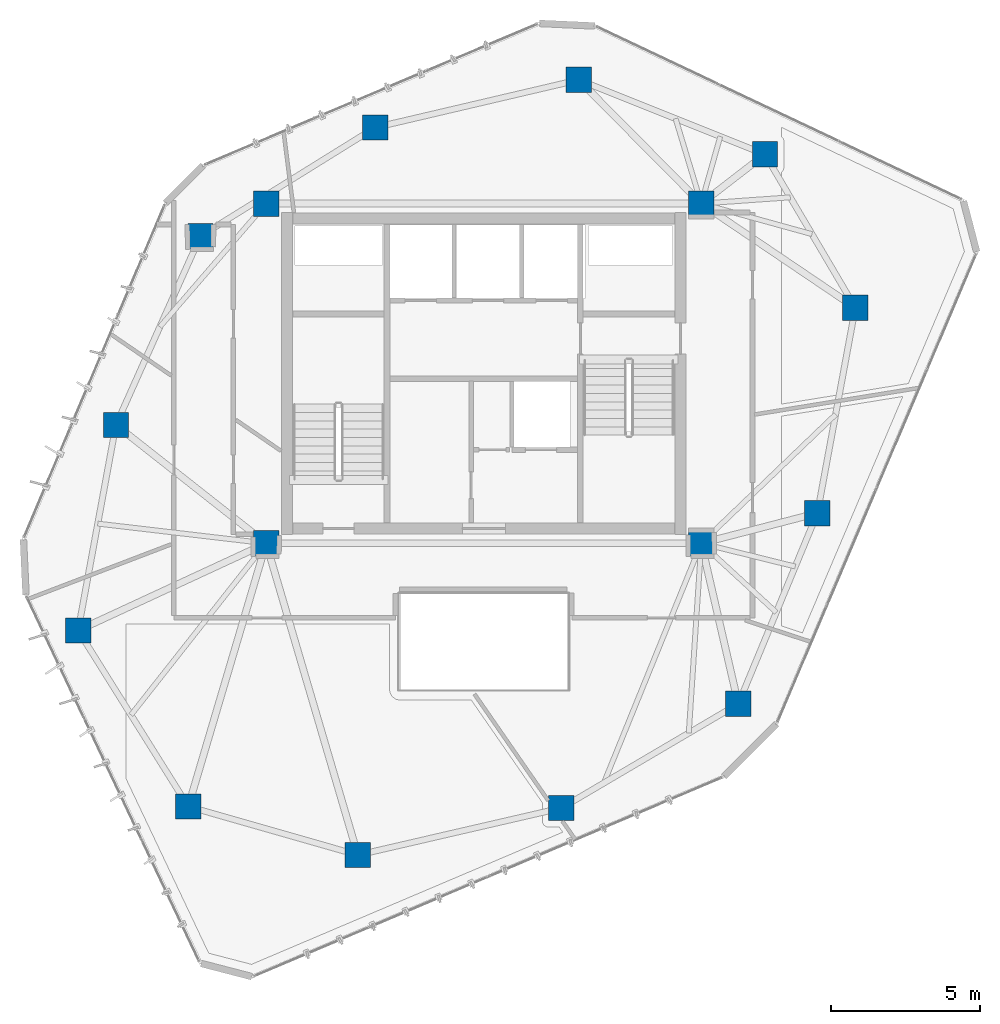
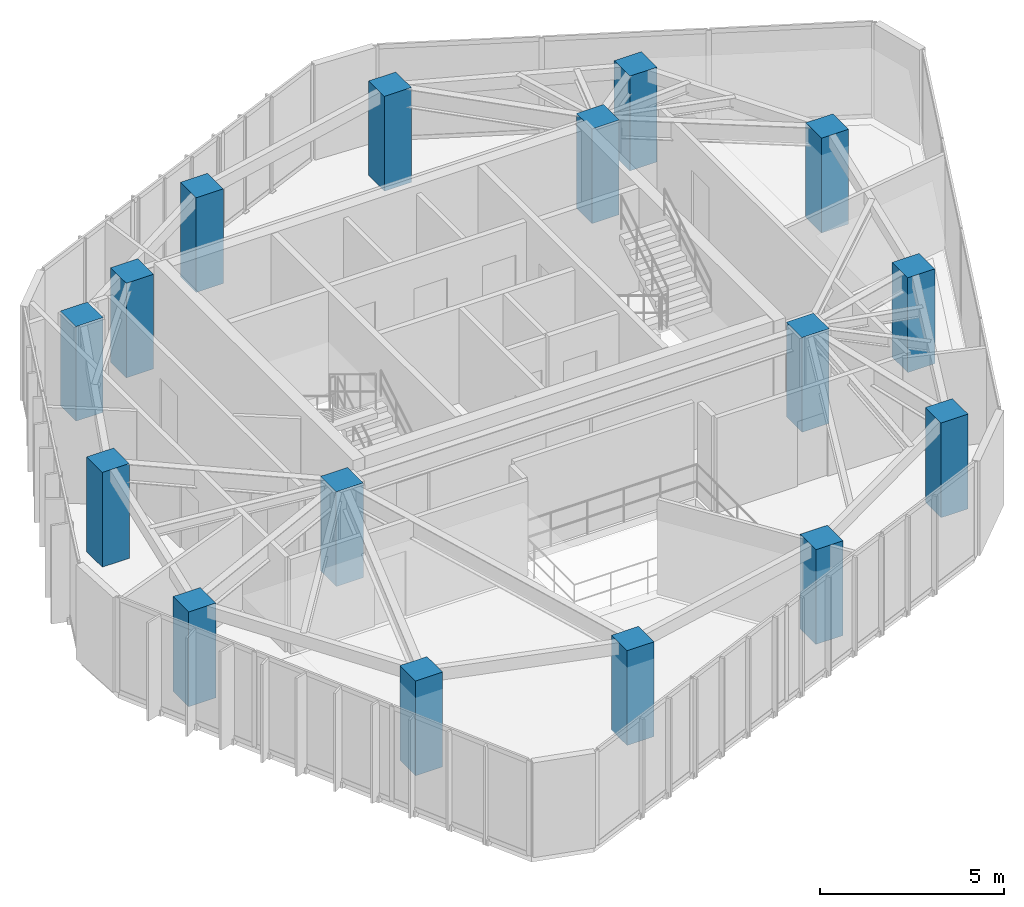
# One storey, part 1 of 20: 16 columns.
"""IFC4 building model written with IfcOpenShell, lengths in metres."""

import ifcopenshell
import ifcopenshell.guid

model = None  # the IFC model being written
_history = None  # IfcOwnerHistory: only IFC2X3 demands one
_inside = {}  # id of a spatial element -> (the spatial element, [elements in it])
_under = {}  # id of a project, library or spatial element -> (it, [spatial elements below it])
_declared = {}  # id of a project -> (the project, [libraries it declares])
_typed = {}  # id of a type object -> (the type object, [elements of that type])
_made_of = {}  # id of a material, layer set ... -> (it, [elements and type objects made of it])


def new_model(schema):
    """Start an empty IFC model of exactly this schema.

    Asked for "IFC4X3", IfcOpenShell would pick the latest addendum, in which some entities
    have other attributes; the version numbers below select the first issue.
    IFC2X3 requires an IfcOwnerHistory on every rooted entity: one is made here for all.
    """
    global model, _history
    if schema == "IFC4X3":
        model = ifcopenshell.file(schema_version=(4, 3, 0, 0))
    else:
        model = ifcopenshell.file(schema=schema)
    _inside.clear()
    _under.clear()
    _declared.clear()
    _typed.clear()
    _made_of.clear()
    _history = None
    if model.schema == "IFC2X3":
        org = make("IfcOrganization", Name="unknown")
        user = make(
            "IfcPersonAndOrganization",
            ThePerson=make("IfcPerson", FamilyName="unknown"),
            TheOrganization=org,
        )
        app = make(
            "IfcApplication",
            ApplicationDeveloper=org,
            Version="unknown",
            ApplicationFullName="unknown",
            ApplicationIdentifier="unknown",
        )
        _history = make(
            "IfcOwnerHistory",
            OwningUser=user,
            OwningApplication=app,
            ChangeAction="ADDED",
            CreationDate=0,
        )
    return model


def make(cls, **values):
    """One entity of the class cls with the attributes given. An attribute that is None is left unset."""
    return model.create_entity(
        cls, **{name: value for name, value in values.items() if value is not None}
    )


def rooted(cls, **values):
    """An entity with a GlobalId (a new one), such as an element, a storey or a relation."""
    return make(cls, GlobalId=ifcopenshell.guid.new(), OwnerHistory=_history, **values)


def si_unit(unit_type, name, prefix=None):
    """IfcSIUnit, for example si_unit("LENGTHUNIT", "METRE", prefix="MILLI")."""
    return make("IfcSIUnit", UnitType=unit_type, Prefix=prefix, Name=name)


def assignment(units):
    """IfcUnitAssignment: the units of a project."""
    return None if units is None else make("IfcUnitAssignment", Units=units)


def point(xyz):
    """IfcCartesianPoint."""
    return None if xyz is None else make("IfcCartesianPoint", Coordinates=xyz)


def direction(xyz):
    """IfcDirection."""
    return None if xyz is None else make("IfcDirection", DirectionRatios=xyz)


def frame(location, z_axis=None, x_axis=None):
    """IfcAxis2Placement3D, a coordinate frame: its origin and axes. An axis left out is left unset."""
    return make(
        "IfcAxis2Placement3D",
        Location=point(location),
        Axis=direction(z_axis),
        RefDirection=direction(x_axis),
    )


def frame_2d(location, x_axis=None):
    """IfcAxis2Placement2D, a coordinate frame in the plane: its origin and x axis."""
    return make(
        "IfcAxis2Placement2D", Location=point(location), RefDirection=direction(x_axis)
    )


def origin():
    """The frame at (0, 0, 0) with its axes left unset."""
    return frame((0.0, 0.0, 0.0))


def origin_2d():
    """The frame at (0, 0) in the plane with its x axis left unset."""
    return frame_2d((0.0, 0.0))


def place(relative_to, where):
    """IfcLocalPlacement: puts the frame where relative to a parent placement (None: the world)."""
    return make(
        "IfcLocalPlacement", PlacementRelTo=relative_to, RelativePlacement=where
    )


def context(
    kind, dimensions, precision=None, world=None, true_north=None, identifier=None
):
    """IfcGeometricRepresentationContext, for example the 3D "Model" context."""
    return make(
        "IfcGeometricRepresentationContext",
        ContextIdentifier=identifier,
        ContextType=kind,
        CoordinateSpaceDimension=dimensions,
        Precision=precision,
        WorldCoordinateSystem=world,
        TrueNorth=true_north,
    )


def subcontext(parent, identifier, kind, view, scale=None):
    """IfcGeometricRepresentationSubContext, for example "Body" below "Model"."""
    return make(
        "IfcGeometricRepresentationSubContext",
        ContextIdentifier=identifier,
        ContextType=kind,
        ParentContext=parent,
        TargetScale=scale,
        TargetView=view,
    )


def project(units=None, contexts=None):
    """IfcProject with its units and contexts."""
    return rooted(
        "IfcProject",
        Name="project",
        RepresentationContexts=contexts,
        UnitsInContext=assignment(units),
    )


def spatial(cls, under=None, at=None, **own):
    """A site, building, storey or space (cls), placed at a placement, below another one or the project."""
    s = rooted(cls, ObjectPlacement=at, **own)
    if under is not None:
        _under.setdefault(under.id(), (under, []))[1].append(s)
    return s


def profile(cls, at=None, kind="AREA", **sizes):
    """A parametric profile (cls). Its sizes go by their IFC names, for example OverallWidth=200.0."""
    return make(cls, ProfileType=kind, Position=at, **sizes)


def rectangle(**sizes):
    """IfcRectangleProfileDef."""
    return profile("IfcRectangleProfileDef", **sizes)


def extrude(swept, where, along, depth):
    """IfcExtrudedAreaSolid: the profile swept, set in the frame where, extruded along a direction by depth."""
    return make(
        "IfcExtrudedAreaSolid",
        SweptArea=swept,
        Position=where,
        ExtrudedDirection=direction(along),
        Depth=depth,
    )


def shape(context_of_items, identifier, shape_type, items):
    """IfcShapeRepresentation: the items that make up one representation, for example the "Body"."""
    return make(
        "IfcShapeRepresentation",
        ContextOfItems=context_of_items,
        RepresentationIdentifier=identifier,
        RepresentationType=shape_type,
        Items=items,
    )


def material(Name=None, Category=None):
    """IfcMaterial."""
    return make("IfcMaterial", Name=Name, Category=Category)


def material_profile(
    of_material, cross_section, Name=None, Category=None, Priority=None
):
    """IfcMaterialProfile: a cross section and its material."""
    return make(
        "IfcMaterialProfile",
        Name=Name,
        Material=of_material,
        Profile=cross_section,
        Priority=Priority,
        Category=Category,
    )


def profile_set(profiles, Name=None, composite=None):
    """IfcMaterialProfileSet."""
    return make(
        "IfcMaterialProfileSet",
        Name=Name,
        MaterialProfiles=profiles,
        CompositeProfile=composite,
    )


def made_of(thing, what):
    """Note that an element or type object is made of a material, layer set ...; save() writes the relation."""
    if what is not None:
        _made_of.setdefault(what.id(), (what, []))[1].append(thing)
    return thing


def type_object(cls, material=None, **own):
    """A type object (cls), such as IfcWallType, which elements share."""
    return made_of(rooted(cls, **own), material)


def element(
    cls,
    number,
    at=None,
    inside=None,
    cuts=None,
    type_object=None,
    material=None,
    context=None,
    identifier="Body",
    shape_type=None,
    held_by="IfcProductDefinitionShape",
    body=None,
    shapes=None,
    **own,
):
    """One element of the class cls, such as IfcWall. Its Tag is "e" and its number.

    at: its placement. inside: the storey or other place that contains it. cuts: it is an
    opening in that element (IfcRelVoidsElement). A single representation is given by context,
    identifier, shape_type and body (its items); several are given by shapes. held_by: the class
    of the entity that holds the representations. save() writes the other relations.
    """
    e = rooted(cls, Tag="e%d" % number, ObjectPlacement=at, **own)
    if body is not None:
        shapes = [shape(context, identifier, shape_type, body)]
    if shapes is not None:
        e.Representation = make(held_by, Representations=shapes)
    if inside is not None:
        _inside.setdefault(inside.id(), (inside, []))[1].append(e)
    if cuts is not None:
        rooted(
            "IfcRelVoidsElement", RelatingBuildingElement=cuts, RelatedOpeningElement=e
        )
    if type_object is not None:
        _typed.setdefault(type_object.id(), (type_object, []))[1].append(e)
    return made_of(e, material)


def aggregate(whole, parts):
    """IfcRelAggregates: a whole, such as a stair, and the parts it consists of."""
    return rooted("IfcRelAggregates", RelatingObject=whole, RelatedObjects=parts)


def save(model, path):
    """Write the relations noted so far, then the file.

    IfcRelAggregates (storeys below a building ...), IfcRelContainedInSpatialStructure (elements
    in a storey), IfcRelDefinesByType, IfcRelAssociatesMaterial and IfcRelDeclares: one each for
    every whole, place, type object, material and project.
    """
    for whole, parts in _under.values():
        aggregate(whole, parts)
    for where, things in _inside.values():
        rooted(
            "IfcRelContainedInSpatialStructure",
            RelatedElements=things,
            RelatingStructure=where,
        )
    for kind, things in _typed.values():
        rooted("IfcRelDefinesByType", RelatedObjects=things, RelatingType=kind)
    for what, things in _made_of.values():
        rooted("IfcRelAssociatesMaterial", RelatedObjects=things, RelatingMaterial=what)
    for by, libraries in _declared.values():
        rooted("IfcRelDeclares", RelatingContext=by, RelatedDefinitions=libraries)
    model.write(path)


model = new_model("IFC4")

# Units and contexts
model_context = context("Model", 3, precision=1e-05, world=origin(), true_north=direction((0.0, 1.0)))
body_context = subcontext(model_context, "Body", "Model", "MODEL_VIEW")
ifc_project = project(units=[si_unit("LENGTHUNIT", "METRE"), si_unit("AREAUNIT", "SQUARE_METRE"), si_unit("VOLUMEUNIT", "CUBIC_METRE"), si_unit("PLANEANGLEUNIT", "RADIAN"), si_unit("MASSUNIT", "GRAM", prefix="KILO")], contexts=[model_context])

# Site, building, storey
site_placement = place(None, origin())
site = spatial("IfcSite", under=ifc_project, at=site_placement, CompositionType="ELEMENT")
building_placement = place(site_placement, origin())
building = spatial("IfcBuilding", under=site, at=building_placement, Name="Talar Marvaseh", CompositionType="ELEMENT")
storey_placement = place(building_placement, frame((0.0, 0.0, 274.800048828125)))
storey = spatial("IfcBuildingStorey", under=building, at=storey_placement, Name="L73", CompositionType="ELEMENT", Elevation=274.800048828125)

# Columns
ifc_material = material(Name="Concrete C50/60", Category="concrete")
ifc_material_profile = material_profile(ifc_material, rectangle(XDim=0.85009765625, YDim=0.85009765625, at=origin_2d()), Name="RC850x850")
ifc_profile_set = profile_set([ifc_material_profile], Name="Concrete C50/60")
column_type = type_object("IfcColumnType", Name="Zone 4 Tube Column RC850x850", PredefinedType="COLUMN", material=ifc_profile_set)
for number, where, z_axis, x_axis, name in (
    (1, (12.388916015625, 22.576904296875, 0.0), (0.0, 0.0, 1.0), (1.0, 0.0, 0.0), "L73 Zone 4 Tube Column RC850x850"),
    (2, (13.657958984375, 29.469970703125, 0.0), (0.0, 0.0, 1.0), (1.0, 0.0, 0.0), "L73 Zone 4 Tube Column RC850x850"),
    (3, (16.493896484375, 35.806884765625, 0.0), (0.0, 0.0, 1.0), (1.0, 0.0, 0.0), "L73 Zone 4 Tube Column RC850x850"),
    (4, (22.364990234375, 39.4541015625, 0.0), (0.0, 0.0, 1.0), (1.0, 0.0, 0.0), "L73 Zone 4 Tube Column RC850x850"),
    (5, (29.18798828125, 41.052001953125, 0.0), (0.0, 0.0, 1.0), (1.0, 0.0, 0.0), "L73 Zone 4 Tube Column RC850x850"),
    (6, (35.43798828125, 38.551025390625, 0.0), (0.0, 0.0, 1.0), (1.0, 0.0, 0.0), "L73 Zone 4 Tube Column RC850x850"),
    (7, (38.470947265625, 33.406005859375, 0.0), (0.0, 0.0, 1.0), (1.0, 0.0, 0.0), "L73 Zone 4 Tube Column RC850x850"),
    (8, (37.197021484375, 26.513916015625, 0.0), (0.0, 0.0, 1.0), (1.0, 0.0, 0.0), "L73 Zone 4 Tube Column RC850x850"),
    (9, (34.5439453125, 20.111083984375, 0.0), (0.0, 0.0, 1.0), (1.0, 0.0, 0.0), "L73 Zone 4 Tube Column RC850x850"),
    (10, (28.60498046875, 16.616943359375, 0.0), (0.0, 0.0, 1.0), (1.0, 0.0, 0.0), "L73 Zone 4 Tube Column RC850x850"),
    (11, (21.77587890625, 15.0400390625, 0.0), (0.0, 0.0, 1.0), (1.0, 0.0, 0.0), "L73 Zone 4 Tube Column RC850x850"),
    (12, (16.0869140625, 16.66796875, 0.0), (0.0, 0.0, 1.0), (1.0, 0.0, 0.0), "L73 Zone 4 Tube Column RC850x850"),
    (13, (18.699951171875, 25.5, 0.0), (0.0, 0.0, 1.0), (1.0, 0.0, 0.0), "L73 Zone 4 Tube Column RC850x850"),
    (14, (33.300048828125, 25.5, 0.0), (0.0, 0.0, 1.0), (1.0, 0.0, 0.0), "L73 Zone 4 Tube Column RC850x850"),
    (15, (33.300048828125, 36.89990234375, 0.0), (0.0, 0.0, 1.0), (1.0, 0.0, 0.0), "L73 Zone 4 Tube Column RC850x850"),
    (16, (18.699951171875, 36.89990234375, 0.0), (0.0, 0.0, 1.0), (1.0, 0.0, 0.0), "L73 Zone 4 Tube Column RC850x850"),
):
    element("IfcColumn", number, at=place(storey_placement, frame(where, z_axis=z_axis, x_axis=x_axis)), inside=storey, type_object=column_type, Name=name, PredefinedType="COLUMN", context=body_context, shape_type="SweptSolid", body=[
        extrude(rectangle(XDim=0.85009765625, YDim=0.85009765625, at=origin_2d()), origin(), (0.0, 0.0, 1.0), 3.139892578125),
    ])

save(model, "model.ifc")
